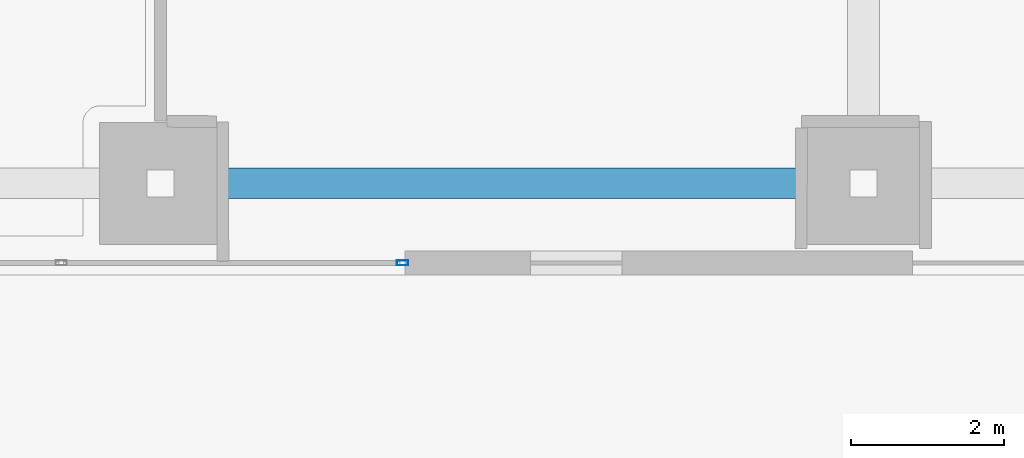
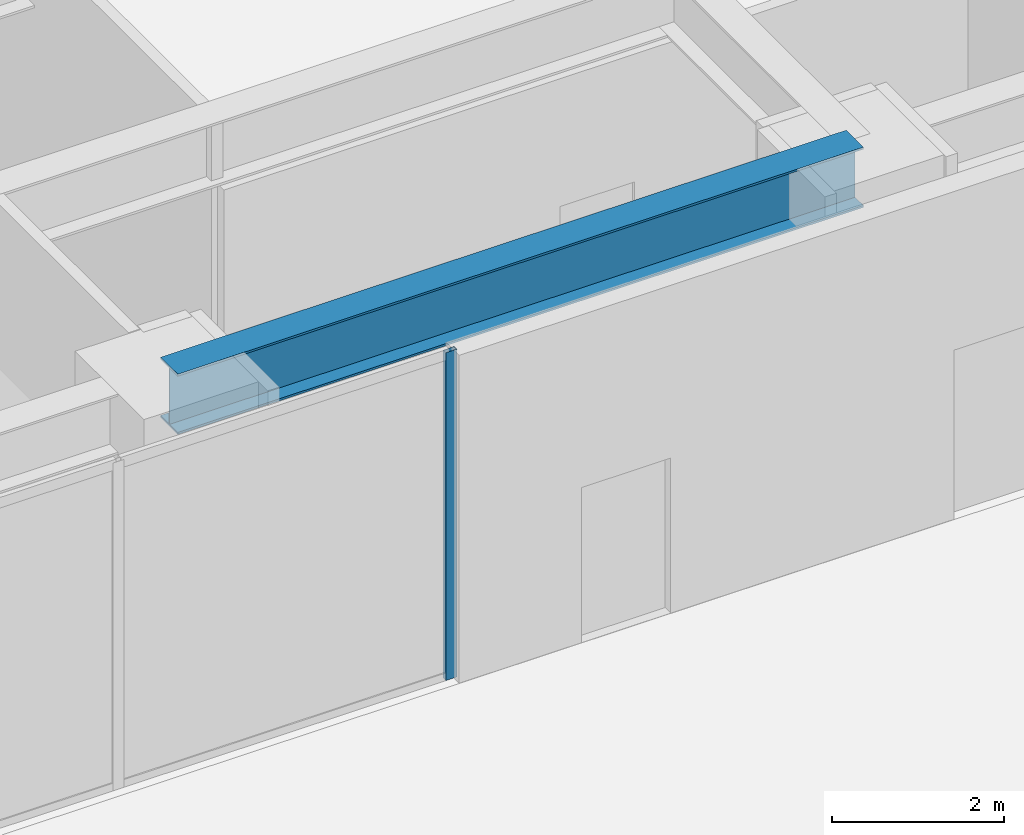
# One storey, part 5 of 28: 1 beam, 1 member, 1 element without a shape of its own.
"""IFC4 building model written with IfcOpenShell, lengths in metres."""

from ifc_helpers import new_model, si_unit, direction, frame, origin, origin_2d, place, context, subcontext, project, spatial, hollow_rectangle, i_section, extrude, source, transform, mapped, material, layer, layer_set, material_profile, profile_set, type_object, type_shapes, element, aggregate, save


model = new_model("IFC4")

# Units and contexts
model_context = context("Model", 3, precision=1e-05, world=origin(), true_north=direction((0.0, 1.0)))
body_context = subcontext(model_context, "Body", "Model", "MODEL_VIEW")
ifc_project = project(units=[si_unit("LENGTHUNIT", "METRE"), si_unit("AREAUNIT", "SQUARE_METRE"), si_unit("VOLUMEUNIT", "CUBIC_METRE"), si_unit("PLANEANGLEUNIT", "RADIAN"), si_unit("MASSUNIT", "GRAM", prefix="KILO")], contexts=[model_context])

# Site, building, storey
site_placement = place(None, origin())
site = spatial("IfcSite", under=ifc_project, at=site_placement, CompositionType="ELEMENT")
building_placement = place(site_placement, origin())
building = spatial("IfcBuilding", under=site, at=building_placement, Name="Talar Marvaseh", CompositionType="ELEMENT")
storey_placement = place(building_placement, origin())
storey = spatial("IfcBuildingStorey", under=building, at=storey_placement, Name="L00", CompositionType="ELEMENT", Elevation=0.0)

# Beam
ifc_material_1 = material(Name="Steel S355", Category="steel")
ifc_material_profile_1 = material_profile(ifc_material_1, i_section(OverallWidth=0.39990234375, OverallDepth=0.85498046875, WebThickness=0.018310546875, FlangeThickness=0.029296875, at=origin_2d()), Name="W840x299")
ifc_profile_set_1 = profile_set([ifc_material_profile_1], Name="Steel S355")
beam_type = type_object("IfcBeamType", Name="Concourse Primary Girder W840x299", PredefinedType="BEAM", material=ifc_profile_set_1)
beam_placement = place(storey_placement, frame((32.800048828125, 9.199951171875, 4.472412109375), z_axis=(1.0, 0.0, 0.0), x_axis=(0.0, 1.0, 0.0)))
element("IfcBeam", 1, at=beam_placement, inside=storey, type_object=beam_type, Name="L00 Concourse Primary Girder W840x299", PredefinedType="BEAM", context=body_context, shape_type="SweptSolid", body=[
    extrude(i_section(OverallWidth=0.39990234375, OverallDepth=0.85498046875, WebThickness=0.018310546875, FlangeThickness=0.029296875, at=origin_2d()), origin(), (0.0, 0.0, 1.0), 9.199951171875),
])

# Curtain wall, member
ifc_material_2 = material(Name="Architectural Aluminium", Category="aluminium")
ifc_layer = layer(ifc_material_2, 0.25)
ifc_layer_set = layer_set([ifc_layer], Name="Architectural Aluminium")
curtain_wall_type = type_object("IfcCurtainWallType", Name="Station Podium Monumental Iwan Curtain Wall", PredefinedType="NOTDEFINED", material=ifc_layer_set)
curtain_wall_placement = place(storey_placement, origin())
curtain_wall = element("IfcCurtainWall", 2, at=curtain_wall_placement, inside=storey, type_object=curtain_wall_type, Name="L00 Station Podium Monumental Iwan Curtain Wall", PredefinedType="NOTDEFINED")
ifc_material_profile_2 = material_profile(ifc_material_2, hollow_rectangle(XDim=0.06494140625, YDim=0.14990234375, WallThickness=0.00390625, at=origin_2d()), Name="RHS150x65x4")
ifc_profile_set_2 = profile_set([ifc_material_profile_2], Name="Architectural Aluminium")
member_type = type_object("IfcMemberType", Name="Unitised Curtain Wall Slim Mullion RHS150x65x4", PredefinedType="MULLION", material=ifc_profile_set_2)
shared_shape = source(origin(), body_context, "Body", "SweptSolid", [
    extrude(hollow_rectangle(XDim=0.06494140625, YDim=0.14990234375, WallThickness=0.00390625, at=origin_2d()), origin(), (0.0, 0.0, 1.0), 4.64990234375),
])
type_shapes(member_type, [shared_shape])
member_placement = place(storey_placement, frame((35.967529296875, 8.159912109375, 0.0), z_axis=(0.0, 0.0, 1.0), x_axis=(0.0, -1.0, 0.0)))
member = element("IfcMember", 3, at=member_placement, type_object=member_type, Name="CW-POD mullion 1", PredefinedType="MULLION", context=body_context, shape_type="MappedRepresentation", body=[
    mapped(shared_shape, transform((0.0, 0.0, 0.0), x_axis=(1.0, 0.0, 0.0), y_axis=(0.0, 1.0, 0.0), z_axis=(0.0, 0.0, 1.0), scale=1.0)),
])
aggregate(curtain_wall, [member])

save(model, "model.ifc")
